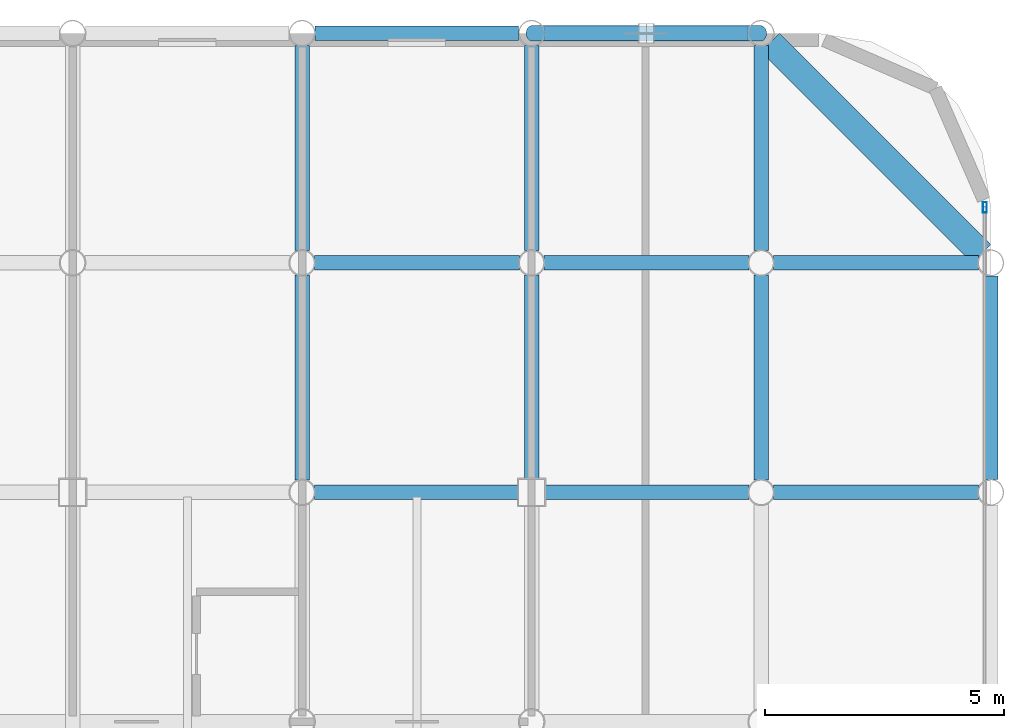
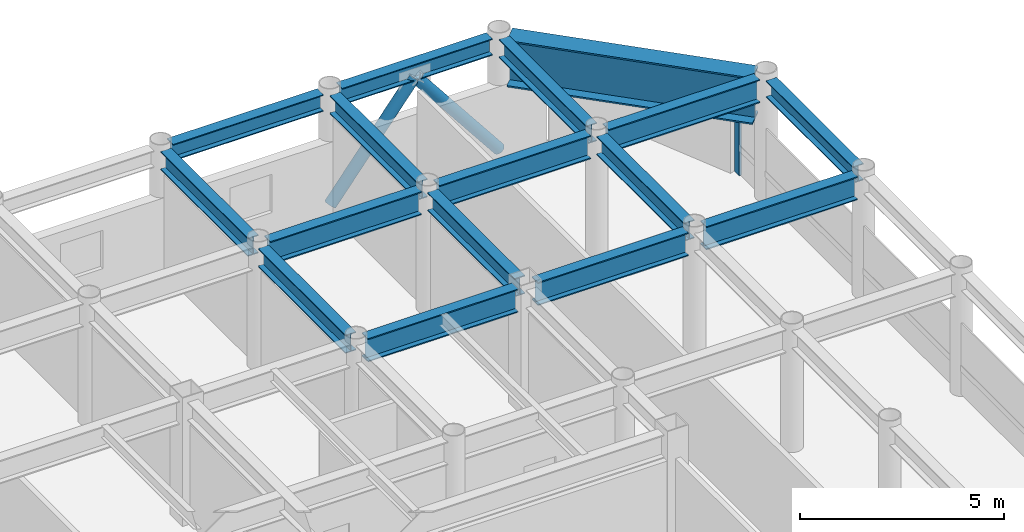
# One storey, part 16 of 23: 16 beams, 3 members, 1 element without a shape of its own.
"""IFC4 building model written with IfcOpenShell, lengths in metres."""

from ifc_helpers import new_model, si_unit, direction, frame, origin, origin_2d, place, context, subcontext, project, spatial, hollow_rectangle, hollow_circle, i_section, extrude, material, layer, layer_set, material_profile, profile_set, type_object, element, aggregate, save


model = new_model("IFC4")

# Units and contexts
model_context = context("Model", 3, precision=1e-05, world=origin(), true_north=direction((0.0, 1.0)))
body_context = subcontext(model_context, "Body", "Model", "MODEL_VIEW")
ifc_project = project(units=[si_unit("LENGTHUNIT", "METRE"), si_unit("AREAUNIT", "SQUARE_METRE"), si_unit("VOLUMEUNIT", "CUBIC_METRE"), si_unit("PLANEANGLEUNIT", "RADIAN"), si_unit("MASSUNIT", "GRAM", prefix="KILO")], contexts=[model_context])

# Site, building, storey
site_placement = place(None, origin())
site = spatial("IfcSite", under=ifc_project, at=site_placement, CompositionType="ELEMENT")
building_placement = place(site_placement, origin())
building = spatial("IfcBuilding", under=site, at=building_placement, Name="Kallvorn Hotel Tower", CompositionType="ELEMENT")
storey_placement = place(building_placement, frame((0.0, 0.0, 237.699951171875)))
storey = spatial("IfcBuildingStorey", under=building, at=storey_placement, Name="L59", CompositionType="ELEMENT", Elevation=237.699951171875)

# Beams
ifc_material_1 = material(Name="Structural steel S355JR", Category="steel")
ifc_material_profile_1 = material_profile(ifc_material_1, i_section(OverallWidth=0.300048828125, OverallDepth=0.5, WebThickness=0.014404296875, FlangeThickness=0.028076171875, at=origin_2d()), Name="HE 500 B")
ifc_profile_set_1 = profile_set([ifc_material_profile_1], Name="Structural steel S355JR")
beam_type_1 = type_object("IfcBeamType", Name="BM_HE500B", PredefinedType="SPANDREL", material=ifc_profile_set_1)
for number, where, z_axis, x_axis, name in (
    (1, (19.469482421875, 24.0, 3.420166015625), (1.0, 0.0, 0.0), (0.0, 1.0, 0.0), "L60 Perimeter Spandrel 172"),
    (2, (24.26953125, 24.0, 3.420166015625), (1.0, 0.0, 0.0), (0.0, 1.0, 0.0), "L60 Perimeter Spandrel 173"),
    (3, (33.60009765625, 14.66943359375, 3.420166015625), (0.0, 1.0, 0.0), (-1.0, 0.0, 0.0), "L60 Perimeter Spandrel 188"),
):
    element("IfcBeam", number, at=place(storey_placement, frame(where, z_axis=z_axis, x_axis=x_axis)), inside=storey, type_object=beam_type_1, Name=name, PredefinedType="SPANDREL", context=body_context, shape_type="SweptSolid", body=[
        extrude(i_section(OverallWidth=0.300048828125, OverallDepth=0.5, WebThickness=0.014404296875, FlangeThickness=0.028076171875, at=origin_2d()), origin(), (0.0, 0.0, 1.0), 4.260986328125),
    ])
ifc_material_2 = material(Name="Structural steel S355JR", Category="steel")
ifc_material_profile_2 = material_profile(ifc_material_2, i_section(OverallWidth=0.300048828125, OverallDepth=0.550048828125, WebThickness=0.014892578125, FlangeThickness=0.029052734375, at=origin_2d()), Name="HE 550 B")
ifc_profile_set_2 = profile_set([ifc_material_profile_2], Name="Structural steel S355JR")
beam_type_2 = type_object("IfcBeamType", Name="BM_HE550B", PredefinedType="SPANDREL", material=ifc_profile_set_2)
for number, where, z_axis, x_axis, name in (
    (4, (19.199951171875, 14.654541015625, 3.39501953125), (0.0, 1.0, 0.0), (-1.0, 0.0, 0.0), "L60 Primary Y-Girder 133"),
    (5, (19.199951171875, 19.45458984375, 3.39501953125), (0.0, 1.0, 0.0), (-1.0, 0.0, 0.0), "L60 Primary Y-Girder 134"),
):
    element("IfcBeam", number, at=place(storey_placement, frame(where, z_axis=z_axis, x_axis=x_axis)), inside=storey, type_object=beam_type_2, Name=name, PredefinedType="SPANDREL", context=body_context, shape_type="SweptSolid", body=[
        extrude(i_section(OverallWidth=0.300048828125, OverallDepth=0.550048828125, WebThickness=0.014892578125, FlangeThickness=0.029052734375, at=origin_2d()), origin(), (0.0, 0.0, 1.0), 4.291015625),
    ])
beam_1_placement = place(storey_placement, frame((24.0, 14.675048828125, 3.39501953125), z_axis=(0.0, 1.0, 0.0), x_axis=(-1.0, 0.0, 0.0)))
element("IfcBeam", 6, at=beam_1_placement, inside=storey, type_object=beam_type_2, Name="L60 Primary Y-Girder 140", PredefinedType="SPANDREL", context=body_context, shape_type="SweptSolid", body=[
    extrude(i_section(OverallWidth=0.300048828125, OverallDepth=0.550048828125, WebThickness=0.014892578125, FlangeThickness=0.029052734375, at=origin_2d()), origin(), (0.0, 0.0, 1.0), 4.2705078125),
])
for number, where, z_axis, x_axis, name in (
    (7, (24.0, 19.45458984375, 3.39501953125), (0.0, 1.0, 0.0), (-1.0, 0.0, 0.0), "L60 Primary Y-Girder 141"),
    (8, (28.800048828125, 14.654541015625, 3.39501953125), (0.0, 1.0, 0.0), (-1.0, 0.0, 0.0), "L60 Primary Y-Girder 149"),
    (9, (28.800048828125, 19.45458984375, 3.39501953125), (0.0, 1.0, 0.0), (-1.0, 0.0, 0.0), "L60 Primary Y-Girder 150"),
):
    element("IfcBeam", number, at=place(storey_placement, frame(where, z_axis=z_axis, x_axis=x_axis)), inside=storey, type_object=beam_type_2, Name=name, PredefinedType="SPANDREL", context=body_context, shape_type="SweptSolid", body=[
        extrude(i_section(OverallWidth=0.300048828125, OverallDepth=0.550048828125, WebThickness=0.014892578125, FlangeThickness=0.029052734375, at=origin_2d()), origin(), (0.0, 0.0, 1.0), 4.291015625),
    ])
ifc_material_3 = material(Name="Structural steel S355JR", Category="steel")
ifc_material_profile_3 = material_profile(ifc_material_3, i_section(OverallWidth=0.300048828125, OverallDepth=0.699951171875, WebThickness=0.01708984375, FlangeThickness=0.031982421875, at=origin_2d()), Name="HE 700 B")
ifc_profile_set_3 = profile_set([ifc_material_profile_3], Name="Structural steel S355JR")
beam_type_3 = type_object("IfcBeamType", Name="BM_HE700B", PredefinedType="BEAM", material=ifc_profile_set_3)
for number, where, z_axis, x_axis, name in (
    (10, (19.45458984375, 14.39990234375, 3.320068359375), (1.0, 0.0, 0.0), (0.0, 1.0, 0.0), "L60 Primary X-Girder 57"),
    (11, (24.27490234375, 14.39990234375, 3.320068359375), (1.0, 0.0, 0.0), (0.0, 1.0, 0.0), "L60 Primary X-Girder 58"),
):
    element("IfcBeam", number, at=place(storey_placement, frame(where, z_axis=z_axis, x_axis=x_axis)), inside=storey, type_object=beam_type_3, Name=name, PredefinedType="BEAM", context=body_context, shape_type="SweptSolid", body=[
        extrude(i_section(OverallWidth=0.300048828125, OverallDepth=0.699951171875, WebThickness=0.01708984375, FlangeThickness=0.031982421875, at=origin_2d()), origin(), (0.0, 0.0, 1.0), 4.2705078125),
    ])
for number, where, z_axis, x_axis, name in (
    (12, (29.054443359375, 14.39990234375, 3.320068359375), (1.0, 0.0, 0.0), (0.0, 1.0, 0.0), "L60 Primary X-Girder 59"),
    (13, (19.45458984375, 19.199951171875, 3.320068359375), (1.0, 0.0, 0.0), (0.0, 1.0, 0.0), "L60 Primary X-Girder 70"),
    (14, (24.25439453125, 19.199951171875, 3.320068359375), (1.0, 0.0, 0.0), (0.0, 1.0, 0.0), "L60 Primary X-Girder 71"),
    (15, (29.054443359375, 19.199951171875, 3.320068359375), (1.0, 0.0, 0.0), (0.0, 1.0, 0.0), "L60 Primary X-Girder 72"),
):
    element("IfcBeam", number, at=place(storey_placement, frame(where, z_axis=z_axis, x_axis=x_axis)), inside=storey, type_object=beam_type_3, Name=name, PredefinedType="BEAM", context=body_context, shape_type="SweptSolid", body=[
        extrude(i_section(OverallWidth=0.300048828125, OverallDepth=0.699951171875, WebThickness=0.01708984375, FlangeThickness=0.031982421875, at=origin_2d()), origin(), (0.0, 0.0, 1.0), 4.291015625),
    ])
ifc_material_4 = material(Name="Structural steel S355JR", Category="steel")
ifc_material_profile_4 = material_profile(ifc_material_4, i_section(OverallWidth=0.550048828125, OverallDepth=1.39990234375, WebThickness=0.02490234375, FlangeThickness=0.044921875, at=origin_2d()), Name="PG 1400x550x25x45")
ifc_profile_set_4 = profile_set([ifc_material_profile_4], Name="Structural steel S355JR")
beam_type_4 = type_object("IfcBeamType", Name="BM_PG_1400", PredefinedType="BEAM", material=ifc_profile_set_4)
beam_2_placement = place(storey_placement, frame((33.409423828125, 19.390625, 2.969970703125), z_axis=(-0.707126314793, 0.707087247041, 0.0), x_axis=(-0.707087247041, -0.707126314793, 0.0)))
element("IfcBeam", 16, at=beam_2_placement, inside=storey, type_object=beam_type_4, Name="L60 Rounded Corner Tie Beam 191", PredefinedType="BEAM", context=body_context, shape_type="SweptSolid", body=[
    extrude(i_section(OverallWidth=0.550048828125, OverallDepth=1.39990234375, WebThickness=0.02490234375, FlangeThickness=0.044921875, at=origin_2d()), origin(), (0.0, 0.0, 1.0), 6.249267578125),
])

# Curtain wall, member
ifc_material_5 = material(Name="Thermally broken black-anodised aluminium AA 6063-T6", Category="aluminium")
ifc_layer = layer(ifc_material_5, 0.22998046875)
ifc_layer_set = layer_set([ifc_layer], Name="CW_SYS_5_HOTEL_HIGH")
curtain_wall_type = type_object("IfcCurtainWallType", Name="CW_SYS_5_HOTEL_HIGH", PredefinedType="USERDEFINED", material=ifc_layer_set)
curtain_wall_placement = place(storey_placement, origin())
curtain_wall = element("IfcCurtainWall", 17, at=curtain_wall_placement, inside=storey, type_object=curtain_wall_type, Name="L59 Dark-Glass Curtain Wall CW-L59-EN", ObjectType="UNITISED CURTAIN WALL", PredefinedType="USERDEFINED")
ifc_material_6 = material(Name="Thermally broken black-anodised aluminium AA 6063-T6", Category="aluminium")
ifc_material_profile_5 = material_profile(ifc_material_6, hollow_rectangle(XDim=0.080078125, YDim=0.219970703125, WallThickness=0.0048828125, at=origin_2d()), Name="MUL 220x80")
ifc_profile_set_5 = profile_set([ifc_material_profile_5], Name="Thermally broken black-anodised aluminium AA 6063-T6")
member_type_1 = type_object("IfcMemberType", Name="CW_MULLION_220x80", PredefinedType="MULLION", material=ifc_profile_set_5)
member_placement = place(storey_placement, frame((33.47998046875, 20.360107421875, 0.02001953125), z_axis=(0.0, 0.0, 1.0), x_axis=(1.0, 0.0, 0.0)))
member = element("IfcMember", 18, at=member_placement, type_object=member_type_1, Name="CW-L59-EN Mullion 01", PredefinedType="MULLION", context=body_context, shape_type="SweptSolid", body=[
    extrude(hollow_rectangle(XDim=0.080078125, YDim=0.219970703125, WallThickness=0.0048828125, at=origin_2d()), origin(), (0.0, 0.0, 1.0), 2.22998046875),
])
aggregate(curtain_wall, [member])

# Members
ifc_material_7 = material(Name="Structural steel S355J2H", Category="steel")
ifc_material_profile_6 = material_profile(ifc_material_7, hollow_circle(Radius=0.161865234375, WallThickness=0.012451171875, at=origin_2d()), Name="CHS 323.9x12.5")
ifc_profile_set_6 = profile_set([ifc_material_profile_6], Name="Structural steel S355J2H")
member_type_2 = type_object("IfcMemberType", Name="MBR_EXO_CHS323", PredefinedType="BRACE", material=ifc_profile_set_6)
for number, where, z_axis, x_axis, name in (
    (19, (24.012451171875, 24.0, 0.19580078125), (0.620928510901, 0.0, 0.783867198159), (0.0, 1.0, 0.0), "L59 Exoskeleton K-Brace N2A"),
    (20, (28.78759765625, 24.0, 0.19580078125), (-0.620928510901, 0.0, 0.783867198159), (0.0, -1.0, 0.0), "L59 Exoskeleton K-Brace N2B"),
):
    element("IfcMember", number, at=place(storey_placement, frame(where, z_axis=z_axis, x_axis=x_axis)), inside=storey, type_object=member_type_2, Name=name, PredefinedType="BRACE", context=body_context, shape_type="SweptSolid", body=[
        extrude(hollow_circle(Radius=0.161865234375, WallThickness=0.012451171875, at=origin_2d()), origin(), (0.0, 0.0, 1.0), 3.8251953125),
    ])

save(model, "model.ifc")
